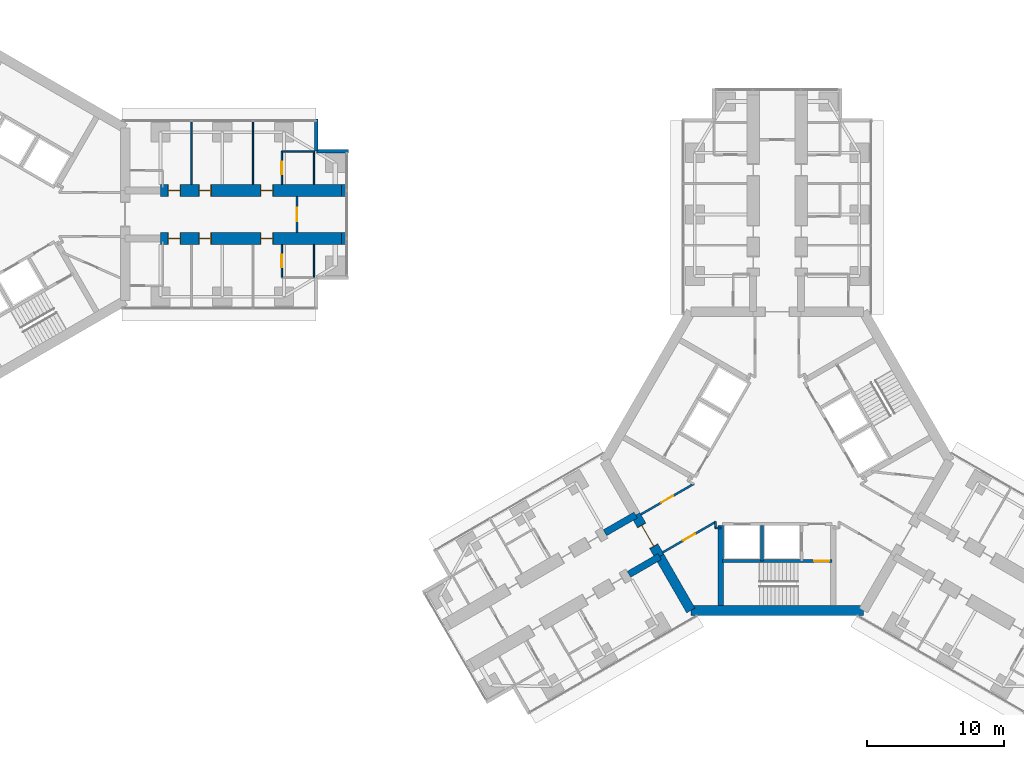
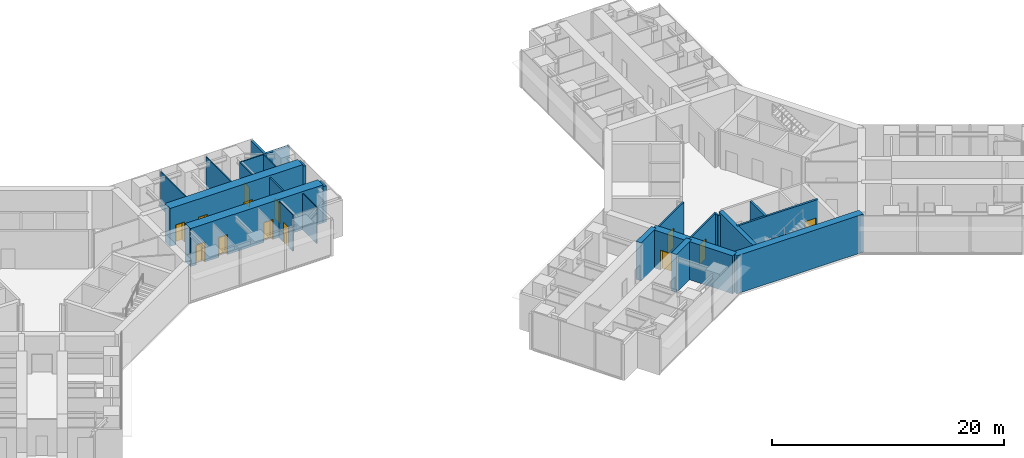
# One storey, part 20 of 25: 26 walls, 13 doors, 13 openings.
"""IFC4 building model written with IfcOpenShell, lengths in metres."""

from ifc_helpers import new_model, si_unit, direction, frame, frame_2d, origin, place, context, subcontext, project, spatial, rectangle, extrude, material, layer, layer_set, type_object, element, fill, save


model = new_model("IFC4")

# Units and contexts
model_context = context("Model", 3, precision=1e-05, world=origin(), true_north=direction((0.0, 1.0)))
body_context = subcontext(model_context, "Body", "Model", "MODEL_VIEW")
ifc_project = project(units=[si_unit("LENGTHUNIT", "METRE"), si_unit("AREAUNIT", "SQUARE_METRE"), si_unit("VOLUMEUNIT", "CUBIC_METRE"), si_unit("PLANEANGLEUNIT", "RADIAN"), si_unit("MASSUNIT", "GRAM", prefix="KILO")], contexts=[model_context])

# Site, building, storey
site_placement = place(None, origin())
site = spatial("IfcSite", under=ifc_project, at=site_placement, CompositionType="ELEMENT")
building_placement = place(site_placement, origin())
building = spatial("IfcBuilding", under=site, at=building_placement, Name="Upepo Twin Towers", CompositionType="ELEMENT")
storey_placement = place(building_placement, frame((0.0, 0.0, 72.5)))
storey = spatial("IfcBuildingStorey", under=building, at=storey_placement, Name="L17", CompositionType="ELEMENT", Elevation=72.5)

# Walls
ifc_material_1 = material(Name="Dense concrete blockwork", Category="masonry")
ifc_layer_1 = layer(ifc_material_1, 0.89990234375)
ifc_layer_set_1 = layer_set([ifc_layer_1], Name="Buttress closer 900, blockwork with fire-stopping to the curtain wall")
wall_type_1 = type_object("IfcWallType", Name="Buttress closer 900, blockwork with fire-stopping to the curtain wall", PredefinedType="PARTITIONING", material=ifc_layer_set_1)
for number, where, z_axis, x_axis, name in (
    (1, (26.699951171875, 1.75, 0.0), (0.0, 0.0, 1.0), (1.0, 0.0, 0.0), "T1 L17 wing A buttress closer L"),
    (2, (26.699951171875, -1.75, 0.0), (0.0, 0.0, 1.0), (1.0, 0.0, 0.0), "T1 L17 wing A buttress closer R"),
):
    element("IfcWall", number, at=place(storey_placement, frame(where, z_axis=z_axis, x_axis=x_axis)), inside=storey, type_object=wall_type_1, Name=name, PredefinedType="PARTITIONING", context=body_context, shape_type="SweptSolid", body=[
        extrude(rectangle(XDim=0.31005859375, YDim=0.89990234375, at=frame_2d((0.155029296875, 0.0))), origin(), (0.0, 0.0, 1.0), 3.800048828125),
    ])
ifc_material_2 = material(Name="Concrete C60/75", Category="concrete")
ifc_layer_2 = layer(ifc_material_2, 0.5)
ifc_layer_set_2 = layer_set([ifc_layer_2], Name="Concrete C60/75")
wall_type_2 = type_object("IfcWallType", Name="Buttress wall 500 RC", PredefinedType="SHEAR", material=ifc_layer_set_2)
for number, where, z_axis, x_axis, name in (
    (3, (49.92822265625, -24.9697265625, 0.0), (0.0, 0.0, 1.0), (-0.866031863473, -0.499988811324, 0.0), "T2 wing B buttress wall L"),
    (4, (48.17822265625, -21.938720703125, 0.0), (0.0, 0.0, 1.0), (-0.866072649678, -0.499918158782, 0.0), "T2 wing B buttress wall R"),
):
    element("IfcWall", number, at=place(storey_placement, frame(where, z_axis=z_axis, x_axis=x_axis)), inside=storey, type_object=wall_type_2, Name=name, PredefinedType="SHEAR", context=body_context, shape_type="SweptSolid", body=[
        extrude(rectangle(XDim=2.591796875, YDim=0.5, at=frame_2d((1.2958984375, 0.0))), origin(), (0.0, 0.0, 1.0), 4.0),
    ])

# Wall, openings, doors
ifc_material_3 = material(Name="Concrete C60/75", Category="concrete")
ifc_layer_3 = layer(ifc_material_3, 0.89990234375)
ifc_layer_set_3 = layer_set([ifc_layer_3], Name="Concrete C60/75")
wall_type_3 = type_object("IfcWallType", Name="Buttress wall 900 RC", PredefinedType="SHEAR", material=ifc_layer_set_3)
wall_1_placement = place(storey_placement, frame((13.5, 1.75, 0.0), z_axis=(0.0, 0.0, 1.0), x_axis=(1.0, 0.0, 0.0)))
wall_1 = element("IfcWall", 5, at=wall_1_placement, inside=storey, type_object=wall_type_3, Name="T1 wing A buttress wall L part 2", PredefinedType="SHEAR", context=body_context, shape_type="SweptSolid", body=[
    extrude(rectangle(XDim=13.199951171875, YDim=0.89990234375, at=frame_2d((6.60009765625, 0.0))), origin(), (0.0, 0.0, 1.0), 4.0),
])
opening_1_placement = place(wall_1_placement, frame((0.550048828125, 0.0, 0.0)))
opening_1 = element("IfcOpeningElement", 6, at=opening_1_placement, cuts=wall_1, Name="Opening D11", PredefinedType="OPENING", context=body_context, shape_type="SweptSolid", body=[
    extrude(rectangle(XDim=0.89990234375, YDim=2.10009765625, at=frame_2d((0.449951171875, 1.050048828125))), frame((0.0, 0.4599609375, 0.0), z_axis=(0.0, -1.0, 0.0), x_axis=(1.0, 0.0, 0.0)), (0.0, 0.0, 1.0), 0.919921875),
])
opening_2_placement = place(wall_1_placement, frame((2.800048828125, 0.0, 0.0)))
opening_2 = element("IfcOpeningElement", 7, at=opening_2_placement, cuts=wall_1, Name="Opening D14", PredefinedType="OPENING", context=body_context, shape_type="SweptSolid", body=[
    extrude(rectangle(XDim=0.89990234375, YDim=2.10009765625, at=frame_2d((0.449951171875, 1.050048828125))), frame((0.0, 0.4599609375, 0.0), z_axis=(0.0, -1.0, 0.0), x_axis=(1.0, 0.0, 0.0)), (0.0, 0.0, 1.0), 0.919921875),
])
opening_3_placement = place(wall_1_placement, frame((7.300048828125, 0.0, 0.0)))
opening_3 = element("IfcOpeningElement", 8, at=opening_3_placement, cuts=wall_1, Name="Opening D14", PredefinedType="OPENING", context=body_context, shape_type="SweptSolid", body=[
    extrude(rectangle(XDim=0.89990234375, YDim=2.10009765625, at=frame_2d((0.449951171875, 1.050048828125))), frame((0.0, 0.4599609375, 0.0), z_axis=(0.0, -1.0, 0.0), x_axis=(1.0, 0.0, 0.0)), (0.0, 0.0, 1.0), 0.919921875),
])
ifc_material_4 = material(Name="Timber doorset", Category="wood")
door_type_1 = type_object("IfcDoorType", Name="Office door 900 FD30", OperationType="SINGLE_SWING_LEFT", PredefinedType="DOOR", material=ifc_material_4)
door_1_placement = place(opening_2_placement, origin())
door_1 = element("IfcDoor", 9, at=door_1_placement, inside=storey, type_object=door_type_1, Name="T1 L17 staff office door", OperationType="SINGLE_SWING_LEFT", OverallHeight=2.10009765625, OverallWidth=0.89990234375, PredefinedType="DOOR", context=body_context, shape_type="SweptSolid", body=[
    extrude(rectangle(XDim=0.81990234375, YDim=2.06009765625, at=frame_2d((0.449951171875, 1.030029296875))), frame((0.0, 0.02490234375, 0.0), z_axis=(0.0, -1.0, 0.0), x_axis=(1.0, 0.0, 0.0)), (0.0, 0.0, 1.0), 0.050048828125),
    extrude(rectangle(XDim=0.04, YDim=2.10009765625, at=frame_2d((0.02001953125, 1.050048828125))), frame((0.0, 0.44970703125, 0.0), z_axis=(0.0, -1.0, 0.0), x_axis=(1.0, 0.0, 0.0)), (0.0, 0.0, 1.0), 0.8994140625),
    extrude(rectangle(XDim=0.04, YDim=2.10009765625, at=frame_2d((0.8798828125, 1.050048828125))), frame((0.0, 0.44970703125, 0.0), z_axis=(0.0, -1.0, 0.0), x_axis=(1.0, 0.0, 0.0)), (0.0, 0.0, 1.0), 0.8994140625),
    extrude(rectangle(XDim=0.81990234375, YDim=0.04, at=frame_2d((0.449951171875, 2.080078125))), frame((0.0, 0.44970703125, 0.0), z_axis=(0.0, -1.0, 0.0), x_axis=(1.0, 0.0, 0.0)), (0.0, 0.0, 1.0), 0.8994140625),
])
fill(opening_2, door_1)
door_2_placement = place(opening_3_placement, origin())
door_2 = element("IfcDoor", 10, at=door_2_placement, inside=storey, type_object=door_type_1, Name="T1 L17 postgraduate office door", OperationType="SINGLE_SWING_RIGHT", OverallHeight=2.10009765625, OverallWidth=0.89990234375, PredefinedType="DOOR", context=body_context, shape_type="SweptSolid", body=[
    extrude(rectangle(XDim=0.81990234375, YDim=2.06009765625, at=frame_2d((0.449951171875, 1.030029296875))), frame((0.0, 0.02490234375, 0.0), z_axis=(0.0, -1.0, 0.0), x_axis=(1.0, 0.0, 0.0)), (0.0, 0.0, 1.0), 0.050048828125),
    extrude(rectangle(XDim=0.04, YDim=2.10009765625, at=frame_2d((0.02001953125, 1.050048828125))), frame((0.0, 0.44970703125, 0.0), z_axis=(0.0, -1.0, 0.0), x_axis=(1.0, 0.0, 0.0)), (0.0, 0.0, 1.0), 0.8994140625),
    extrude(rectangle(XDim=0.04, YDim=2.10009765625, at=frame_2d((0.8798828125, 1.050048828125))), frame((0.0, 0.44970703125, 0.0), z_axis=(0.0, -1.0, 0.0), x_axis=(1.0, 0.0, 0.0)), (0.0, 0.0, 1.0), 0.8994140625),
    extrude(rectangle(XDim=0.81990234375, YDim=0.04, at=frame_2d((0.449951171875, 2.080078125))), frame((0.0, 0.44970703125, 0.0), z_axis=(0.0, -1.0, 0.0), x_axis=(1.0, 0.0, 0.0)), (0.0, 0.0, 1.0), 0.8994140625),
])
fill(opening_3, door_2)
ifc_material_5 = material(Name="Timber doorset", Category="wood")
door_type_2 = type_object("IfcDoorType", Name="Toilet door 900", OperationType="SINGLE_SWING_LEFT", PredefinedType="DOOR", material=ifc_material_5)
door_3_placement = place(opening_1_placement, origin())
door_3 = element("IfcDoor", 11, at=door_3_placement, inside=storey, type_object=door_type_2, Name="T1 L17 toilets door", OperationType="SINGLE_SWING_LEFT", OverallHeight=2.10009765625, OverallWidth=0.89990234375, PredefinedType="DOOR", context=body_context, shape_type="SweptSolid", body=[
    extrude(rectangle(XDim=0.81990234375, YDim=2.06009765625, at=frame_2d((0.449951171875, 1.030029296875))), frame((0.0, 0.02490234375, 0.0), z_axis=(0.0, -1.0, 0.0), x_axis=(1.0, 0.0, 0.0)), (0.0, 0.0, 1.0), 0.050048828125),
    extrude(rectangle(XDim=0.04, YDim=2.10009765625, at=frame_2d((0.02001953125, 1.050048828125))), frame((0.0, 0.44970703125, 0.0), z_axis=(0.0, -1.0, 0.0), x_axis=(1.0, 0.0, 0.0)), (0.0, 0.0, 1.0), 0.8994140625),
    extrude(rectangle(XDim=0.04, YDim=2.10009765625, at=frame_2d((0.8798828125, 1.050048828125))), frame((0.0, 0.44970703125, 0.0), z_axis=(0.0, -1.0, 0.0), x_axis=(1.0, 0.0, 0.0)), (0.0, 0.0, 1.0), 0.8994140625),
    extrude(rectangle(XDim=0.81990234375, YDim=0.04, at=frame_2d((0.449951171875, 2.080078125))), frame((0.0, 0.44970703125, 0.0), z_axis=(0.0, -1.0, 0.0), x_axis=(1.0, 0.0, 0.0)), (0.0, 0.0, 1.0), 0.8994140625),
])
fill(opening_1, door_3)

wall_2_placement = place(storey_placement, frame((13.5, -1.75, 0.0), z_axis=(0.0, 0.0, 1.0), x_axis=(1.0, 0.0, 0.0)))
wall_2 = element("IfcWall", 12, at=wall_2_placement, inside=storey, type_object=wall_type_3, Name="T1 wing A buttress wall R part 2", PredefinedType="SHEAR", context=body_context, shape_type="SweptSolid", body=[
    extrude(rectangle(XDim=13.199951171875, YDim=0.89990234375, at=frame_2d((6.60009765625, 0.0))), origin(), (0.0, 0.0, 1.0), 4.0),
])
opening_4_placement = place(wall_2_placement, frame((0.550048828125, 0.0, 0.0)))
opening_4 = element("IfcOpeningElement", 13, at=opening_4_placement, cuts=wall_2, Name="Opening D11", PredefinedType="OPENING", context=body_context, shape_type="SweptSolid", body=[
    extrude(rectangle(XDim=0.89990234375, YDim=2.10009765625, at=frame_2d((0.449951171875, 1.050048828125))), frame((0.0, 0.4599609375, 0.0), z_axis=(0.0, -1.0, 0.0), x_axis=(1.0, 0.0, 0.0)), (0.0, 0.0, 1.0), 0.919921875),
])
opening_5_placement = place(wall_2_placement, frame((2.800048828125, 0.0, 0.0)))
opening_5 = element("IfcOpeningElement", 14, at=opening_5_placement, cuts=wall_2, Name="Opening D14", PredefinedType="OPENING", context=body_context, shape_type="SweptSolid", body=[
    extrude(rectangle(XDim=0.89990234375, YDim=2.10009765625, at=frame_2d((0.449951171875, 1.050048828125))), frame((0.0, 0.4599609375, 0.0), z_axis=(0.0, -1.0, 0.0), x_axis=(1.0, 0.0, 0.0)), (0.0, 0.0, 1.0), 0.919921875),
])
opening_6_placement = place(wall_2_placement, frame((7.300048828125, 0.0, 0.0)))
opening_6 = element("IfcOpeningElement", 15, at=opening_6_placement, cuts=wall_2, Name="Opening D14", PredefinedType="OPENING", context=body_context, shape_type="SweptSolid", body=[
    extrude(rectangle(XDim=0.89990234375, YDim=2.10009765625, at=frame_2d((0.449951171875, 1.050048828125))), frame((0.0, 0.4599609375, 0.0), z_axis=(0.0, -1.0, 0.0), x_axis=(1.0, 0.0, 0.0)), (0.0, 0.0, 1.0), 0.919921875),
])
door_4_placement = place(opening_5_placement, origin())
door_4 = element("IfcDoor", 16, at=door_4_placement, inside=storey, type_object=door_type_1, Name="T1 L17 meeting room door", OperationType="SINGLE_SWING_LEFT", OverallHeight=2.10009765625, OverallWidth=0.89990234375, PredefinedType="DOOR", context=body_context, shape_type="SweptSolid", body=[
    extrude(rectangle(XDim=0.81990234375, YDim=2.06009765625, at=frame_2d((0.449951171875, 1.030029296875))), frame((0.0, 0.02490234375, 0.0), z_axis=(0.0, -1.0, 0.0), x_axis=(1.0, 0.0, 0.0)), (0.0, 0.0, 1.0), 0.050048828125),
    extrude(rectangle(XDim=0.04, YDim=2.10009765625, at=frame_2d((0.02001953125, 1.050048828125))), frame((0.0, 0.44970703125, 0.0), z_axis=(0.0, -1.0, 0.0), x_axis=(1.0, 0.0, 0.0)), (0.0, 0.0, 1.0), 0.8994140625),
    extrude(rectangle(XDim=0.04, YDim=2.10009765625, at=frame_2d((0.8798828125, 1.050048828125))), frame((0.0, 0.44970703125, 0.0), z_axis=(0.0, -1.0, 0.0), x_axis=(1.0, 0.0, 0.0)), (0.0, 0.0, 1.0), 0.8994140625),
    extrude(rectangle(XDim=0.81990234375, YDim=0.04, at=frame_2d((0.449951171875, 2.080078125))), frame((0.0, 0.44970703125, 0.0), z_axis=(0.0, -1.0, 0.0), x_axis=(1.0, 0.0, 0.0)), (0.0, 0.0, 1.0), 0.8994140625),
])
fill(opening_5, door_4)
door_5_placement = place(opening_6_placement, origin())
door_5 = element("IfcDoor", 17, at=door_5_placement, inside=storey, type_object=door_type_1, Name="T1 L17 staff office door", OperationType="SINGLE_SWING_RIGHT", OverallHeight=2.10009765625, OverallWidth=0.89990234375, PredefinedType="DOOR", context=body_context, shape_type="SweptSolid", body=[
    extrude(rectangle(XDim=0.81990234375, YDim=2.06009765625, at=frame_2d((0.449951171875, 1.030029296875))), frame((0.0, 0.02490234375, 0.0), z_axis=(0.0, -1.0, 0.0), x_axis=(1.0, 0.0, 0.0)), (0.0, 0.0, 1.0), 0.050048828125),
    extrude(rectangle(XDim=0.04, YDim=2.10009765625, at=frame_2d((0.02001953125, 1.050048828125))), frame((0.0, 0.44970703125, 0.0), z_axis=(0.0, -1.0, 0.0), x_axis=(1.0, 0.0, 0.0)), (0.0, 0.0, 1.0), 0.8994140625),
    extrude(rectangle(XDim=0.04, YDim=2.10009765625, at=frame_2d((0.8798828125, 1.050048828125))), frame((0.0, 0.44970703125, 0.0), z_axis=(0.0, -1.0, 0.0), x_axis=(1.0, 0.0, 0.0)), (0.0, 0.0, 1.0), 0.8994140625),
    extrude(rectangle(XDim=0.81990234375, YDim=0.04, at=frame_2d((0.449951171875, 2.080078125))), frame((0.0, 0.44970703125, 0.0), z_axis=(0.0, -1.0, 0.0), x_axis=(1.0, 0.0, 0.0)), (0.0, 0.0, 1.0), 0.8994140625),
])
fill(opening_6, door_5)
door_6_placement = place(opening_4_placement, origin())
door_6 = element("IfcDoor", 18, at=door_6_placement, inside=storey, type_object=door_type_2, Name="T1 L17 accessible wc door", OperationType="SINGLE_SWING_LEFT", OverallHeight=2.10009765625, OverallWidth=0.89990234375, PredefinedType="DOOR", context=body_context, shape_type="SweptSolid", body=[
    extrude(rectangle(XDim=0.81990234375, YDim=2.06009765625, at=frame_2d((0.449951171875, 1.030029296875))), frame((0.0, 0.02490234375, 0.0), z_axis=(0.0, -1.0, 0.0), x_axis=(1.0, 0.0, 0.0)), (0.0, 0.0, 1.0), 0.050048828125),
    extrude(rectangle(XDim=0.04, YDim=2.10009765625, at=frame_2d((0.02001953125, 1.050048828125))), frame((0.0, 0.44970703125, 0.0), z_axis=(0.0, -1.0, 0.0), x_axis=(1.0, 0.0, 0.0)), (0.0, 0.0, 1.0), 0.8994140625),
    extrude(rectangle(XDim=0.04, YDim=2.10009765625, at=frame_2d((0.8798828125, 1.050048828125))), frame((0.0, 0.44970703125, 0.0), z_axis=(0.0, -1.0, 0.0), x_axis=(1.0, 0.0, 0.0)), (0.0, 0.0, 1.0), 0.8994140625),
    extrude(rectangle(XDim=0.81990234375, YDim=0.04, at=frame_2d((0.449951171875, 2.080078125))), frame((0.0, 0.44970703125, 0.0), z_axis=(0.0, -1.0, 0.0), x_axis=(1.0, 0.0, 0.0)), (0.0, 0.0, 1.0), 0.8994140625),
])
fill(opening_4, door_6)

# Wall, opening, door
ifc_material_6 = material(Name="Concrete C60/75", Category="concrete")
ifc_layer_4 = layer(ifc_material_6, 0.699951171875)
ifc_layer_set_4 = layer_set([ifc_layer_4], Name="Concrete C60/75")
wall_type_4 = type_object("IfcWallType", Name="Core wall 700 RC", PredefinedType="SHEAR", material=ifc_layer_set_4)
wall_3_placement = place(storey_placement, frame((48.17822265625, -21.938720703125, 0.0), z_axis=(0.0, 0.0, 1.0), x_axis=(0.500010275428, -0.866019471182, 0.0)))
wall_3 = element("IfcWall", 19, at=wall_3_placement, inside=storey, type_object=wall_type_4, Name="T2 core wall 120", PredefinedType="SHEAR", context=body_context, shape_type="SweptSolid", body=[
    extrude(rectangle(XDim=3.5, YDim=0.699951171875, at=frame_2d((1.75, 0.0))), origin(), (0.0, 0.0, 1.0), 4.0),
])
opening_7_placement = place(wall_3_placement, frame((0.85009765625, 0.0, 0.0)))
opening_7 = element("IfcOpeningElement", 20, at=opening_7_placement, cuts=wall_3, Name="Opening D2", PredefinedType="OPENING", context=body_context, shape_type="SweptSolid", body=[
    extrude(rectangle(XDim=1.800048828125, YDim=2.10009765625, at=frame_2d((0.89990234375, 1.050048828125))), frame((0.0, 0.35986328125, 0.0), z_axis=(0.0, -1.0, 0.0), x_axis=(1.0, 0.0, 0.0)), (0.0, 0.0, 1.0), 0.719970703125),
])
ifc_material_7 = material(Name="Timber doorset", Category="wood")
door_type_3 = type_object("IfcDoorType", Name="Corridor double door 1800 FD60", OperationType="DOUBLE_DOOR_DOUBLE_SWING", PredefinedType="DOOR", material=ifc_material_7)
door_7_placement = place(opening_7_placement, origin())
door_7 = element("IfcDoor", 21, at=door_7_placement, inside=storey, type_object=door_type_3, Name="T2 L17 wing B corridor door", OperationType="DOUBLE_DOOR_DOUBLE_SWING", OverallHeight=2.10009765625, OverallWidth=1.800048828125, PredefinedType="DOOR", context=body_context, shape_type="SweptSolid", body=[
    extrude(rectangle(XDim=1.720048828125, YDim=2.06009765625, at=frame_2d((0.89990234375, 1.030029296875))), frame((0.0, 0.02490234375, 0.0), z_axis=(0.0, -1.0, 0.0), x_axis=(1.0, 0.0, 0.0)), (0.0, 0.0, 1.0), 0.050048828125),
    extrude(rectangle(XDim=0.04, YDim=2.10009765625, at=frame_2d((0.02001953125, 1.050048828125))), frame((0.0, 0.349609375, 0.0), z_axis=(0.0, -1.0, 0.0), x_axis=(1.0, 0.0, 0.0)), (0.0, 0.0, 1.0), 0.699462890625),
    extrude(rectangle(XDim=0.04, YDim=2.10009765625, at=frame_2d((1.780029296875, 1.050048828125))), frame((0.0, 0.349609375, 0.0), z_axis=(0.0, -1.0, 0.0), x_axis=(1.0, 0.0, 0.0)), (0.0, 0.0, 1.0), 0.699462890625),
    extrude(rectangle(XDim=1.720048828125, YDim=0.04, at=frame_2d((0.89990234375, 2.080078125))), frame((0.0, 0.349609375, 0.0), z_axis=(0.0, -1.0, 0.0), x_axis=(1.0, 0.0, 0.0)), (0.0, 0.0, 1.0), 0.699462890625),
])
fill(opening_7, door_7)

# Walls
wall_4_placement = place(storey_placement, frame((49.92822265625, -24.9697265625, 0.0), z_axis=(0.0, 0.0, 1.0), x_axis=(0.499984222037, -0.866034513004, 0.0)))
element("IfcWall", 22, at=wall_4_placement, inside=storey, type_object=wall_type_4, Name="T2 core wall 120 L", PredefinedType="SHEAR", context=body_context, shape_type="SweptSolid", body=[
    extrude(rectangle(XDim=4.548095703125, YDim=0.699951171875, at=frame_2d((2.27392578125, 0.0))), origin(), (0.0, 0.0, 1.0), 4.0),
])
wall_5_placement = place(storey_placement, frame((52.2021484375, -28.908447265625, 0.0), z_axis=(0.0, 0.0, 1.0), x_axis=(1.0, 0.0, 0.0)))
element("IfcWall", 23, at=wall_5_placement, inside=storey, type_object=wall_type_4, Name="T2 core wall 180", PredefinedType="SHEAR", context=body_context, shape_type="SweptSolid", body=[
    extrude(rectangle(XDim=12.595703125, YDim=0.699951171875, at=frame_2d((6.2978515625, 0.0))), origin(), (0.0, 0.0, 1.0), 4.0),
])
ifc_material_8 = material(Name="Blockwork with anodised aluminium cladding", Category="masonry")
ifc_layer_5 = layer(ifc_material_8, 0.25)
ifc_layer_set_5 = layer_set([ifc_layer_5], Name="Notch cladding wall 250, pale metal")
wall_type_5 = type_object("IfcWallType", Name="Notch cladding wall 250, pale metal", PredefinedType="STANDARD", material=ifc_layer_set_5)
for number, where, z_axis, x_axis, name in (
    (24, (24.875, 6.949951171875, 0.0), (0.0, 0.0, 1.0), (0.0, -1.0, 0.0), "T1 L17 wing A notch wall L1"),
    (25, (24.875, 4.625, 0.0), (0.0, 0.0, 1.0), (1.0, 0.0, 0.0), "T1 L17 wing A notch wall L2"),
):
    element("IfcWall", number, at=place(storey_placement, frame(where, z_axis=z_axis, x_axis=x_axis)), inside=storey, type_object=wall_type_5, Name=name, PredefinedType="STANDARD", context=body_context, shape_type="SweptSolid", body=[
        extrude(rectangle(XDim=2.324951171875, YDim=0.25, at=frame_2d((1.16259765625, 0.0))), origin(), (0.0, 0.0, 1.0), 3.800048828125),
    ])
ifc_material_9 = material(Name="Gypsum board on steel studs", Category="steel")
ifc_layer_6 = layer(ifc_material_9, 0.10009765625)
ifc_layer_set_6 = layer_set([ifc_layer_6], Name="Office partition 100 stud")
wall_type_6 = type_object("IfcWallType", Name="Office partition 100 stud", PredefinedType="PARTITIONING", material=ifc_layer_set_6)
for number, where, z_axis, x_axis, name in (
    (26, (15.75, 2.199951171875, 0.0), (0.0, 0.0, 1.0), (0.0, 1.0, 0.0), "T1 partition AL at 15.75"),
    (27, (20.25, 2.199951171875, 0.0), (0.0, 0.0, 1.0), (0.0, 1.0, 0.0), "T1 partition AL at 20.25"),
):
    element("IfcWall", number, at=place(storey_placement, frame(where, z_axis=z_axis, x_axis=x_axis)), inside=storey, type_object=wall_type_6, Name=name, PredefinedType="PARTITIONING", context=body_context, shape_type="SweptSolid", body=[
        extrude(rectangle(XDim=4.550048828125, YDim=0.10009765625, at=frame_2d((2.27490234375, 0.0))), origin(), (0.0, 0.0, 1.0), 3.800048828125),
    ])
wall_6_placement = place(storey_placement, frame((22.35009765625, 4.60009765625, 0.0), z_axis=(0.0, 0.0, 1.0), x_axis=(1.0, 0.0, 0.0)))
element("IfcWall", 28, at=wall_6_placement, inside=storey, type_object=wall_type_6, Name="T1 inner room partition AL at 22.35", PredefinedType="PARTITIONING", context=body_context, shape_type="SweptSolid", body=[
    extrude(rectangle(XDim=2.39990234375, YDim=0.10009765625, at=frame_2d((1.199951171875, 0.0))), origin(), (0.0, 0.0, 1.0), 3.800048828125),
])

# Wall, opening, door
wall_7_placement = place(storey_placement, frame((22.35009765625, 2.199951171875, 0.0), z_axis=(0.0, 0.0, 1.0), x_axis=(0.0, 1.0, 0.0)))
wall_7 = element("IfcWall", 29, at=wall_7_placement, inside=storey, type_object=wall_type_6, Name="T1 inner room partition AL end at 22.35", PredefinedType="PARTITIONING", context=body_context, shape_type="SweptSolid", body=[
    extrude(rectangle(XDim=2.400146484375, YDim=0.10009765625, at=frame_2d((1.2001953125, 0.0))), origin(), (0.0, 0.0, 1.0), 3.800048828125),
])
opening_8_placement = place(wall_7_placement, frame((0.75, 0.0, 0.0)))
opening_8 = element("IfcOpeningElement", 30, at=opening_8_placement, cuts=wall_7, Name="Opening D14", PredefinedType="OPENING", context=body_context, shape_type="SweptSolid", body=[
    extrude(rectangle(XDim=0.89990234375, YDim=2.10009765625, at=frame_2d((0.449951171875, 1.050048828125))), frame((0.0, 0.06005859375, 0.0), z_axis=(0.0, -1.0, 0.0), x_axis=(1.0, 0.0, 0.0)), (0.0, 0.0, 1.0), 0.1201171875),
])
door_8_placement = place(opening_8_placement, origin())
door_8 = element("IfcDoor", 31, at=door_8_placement, inside=storey, type_object=door_type_1, Name="T1 L17 inner room door", OperationType="SINGLE_SWING_LEFT", OverallHeight=2.10009765625, OverallWidth=0.89990234375, PredefinedType="DOOR", context=body_context, shape_type="SweptSolid", body=[
    extrude(rectangle(XDim=0.89990234375, YDim=2.10009765625, at=frame_2d((0.449951171875, 1.050048828125))), frame((0.0, 0.02490234375, 0.0), z_axis=(0.0, -1.0, 0.0), x_axis=(1.0, 0.0, 0.0)), (0.0, 0.0, 1.0), 0.050048828125),
])
fill(opening_8, door_8)

# Wall
wall_8_placement = place(storey_placement, frame((24.699951171875, 2.199951171875, 0.0), z_axis=(0.0, 0.0, 1.0), x_axis=(0.0, 1.0, 0.0)))
element("IfcWall", 32, at=wall_8_placement, inside=storey, type_object=wall_type_6, Name="T1 inner room partition AL end at 24.75", PredefinedType="PARTITIONING", context=body_context, shape_type="SweptSolid", body=[
    extrude(rectangle(XDim=2.400146484375, YDim=0.10009765625, at=frame_2d((1.2001953125, 0.0))), origin(), (0.0, 0.0, 1.0), 3.800048828125),
])

# Wall, opening, door
wall_9_placement = place(storey_placement, frame((22.35009765625, -2.199951171875, 0.0), z_axis=(0.0, 0.0, 1.0), x_axis=(0.0, -1.0, 0.0)))
wall_9 = element("IfcWall", 33, at=wall_9_placement, inside=storey, type_object=wall_type_6, Name="T1 inner room partition AR end at 22.35", PredefinedType="PARTITIONING", context=body_context, shape_type="SweptSolid", body=[
    extrude(rectangle(XDim=2.400146484375, YDim=0.10009765625, at=frame_2d((1.2001953125, 0.0))), origin(), (0.0, 0.0, 1.0), 3.800048828125),
])
opening_9_placement = place(wall_9_placement, frame((0.75, 0.0, 0.0)))
opening_9 = element("IfcOpeningElement", 34, at=opening_9_placement, cuts=wall_9, Name="Opening D14", PredefinedType="OPENING", context=body_context, shape_type="SweptSolid", body=[
    extrude(rectangle(XDim=0.89990234375, YDim=2.10009765625, at=frame_2d((0.449951171875, 1.050048828125))), frame((0.0, 0.06005859375, 0.0), z_axis=(0.0, -1.0, 0.0), x_axis=(1.0, 0.0, 0.0)), (0.0, 0.0, 1.0), 0.1201171875),
])
door_9_placement = place(opening_9_placement, origin())
door_9 = element("IfcDoor", 35, at=door_9_placement, inside=storey, type_object=door_type_1, Name="T1 L17 inner room door", OperationType="SINGLE_SWING_LEFT", OverallHeight=2.10009765625, OverallWidth=0.89990234375, PredefinedType="DOOR", context=body_context, shape_type="SweptSolid", body=[
    extrude(rectangle(XDim=0.89990234375, YDim=2.10009765625, at=frame_2d((0.449951171875, 1.050048828125))), frame((0.0, 0.02490234375, 0.0), z_axis=(0.0, -1.0, 0.0), x_axis=(1.0, 0.0, 0.0)), (0.0, 0.0, 1.0), 0.050048828125),
])
fill(opening_9, door_9)

# Walls
wall_10_placement = place(storey_placement, frame((24.699951171875, -2.199951171875, 0.0), z_axis=(0.0, 0.0, 1.0), x_axis=(0.0, -1.0, 0.0)))
element("IfcWall", 36, at=wall_10_placement, inside=storey, type_object=wall_type_6, Name="T1 inner room partition AR end at 24.75", PredefinedType="PARTITIONING", context=body_context, shape_type="SweptSolid", body=[
    extrude(rectangle(XDim=2.400146484375, YDim=0.10009765625, at=frame_2d((1.2001953125, 0.0))), origin(), (0.0, 0.0, 1.0), 3.800048828125),
])
ifc_material_10 = material(Name="Concrete C40/50", Category="concrete")
ifc_layer_7 = layer(ifc_material_10, 0.199951171875)
ifc_layer_set_7 = layer_set([ifc_layer_7], Name="Concrete C40/50")
wall_type_7 = type_object("IfcWallType", Name="Shaft wall 200 RC", PredefinedType="SHEAR", material=ifc_layer_set_7)
wall_11_placement = place(storey_placement, frame((57.39990234375, -22.699951171875, 0.0), z_axis=(0.0, 0.0, 1.0), x_axis=(0.0, -1.0, 0.0)))
element("IfcWall", 37, at=wall_11_placement, inside=storey, type_object=wall_type_7, Name="T2 core W180 shaft divider", PredefinedType="SHEAR", context=body_context, shape_type="SweptSolid", body=[
    extrude(rectangle(XDim=2.60009765625, YDim=0.199951171875, at=frame_2d((1.300048828125, 0.0))), origin(), (0.0, 0.0, 1.0), 4.0),
])

# Wall, opening, door
wall_12_placement = place(storey_placement, frame((54.5, -25.300048828125, 0.0), z_axis=(0.0, 0.0, 1.0), x_axis=(1.0, 0.0, 0.0)))
wall_12 = element("IfcWall", 38, at=wall_12_placement, inside=storey, type_object=wall_type_7, Name="T2 core W180 stair wall", PredefinedType="SHEAR", context=body_context, shape_type="SweptSolid", body=[
    extrude(rectangle(XDim=8.0, YDim=0.199951171875, at=frame_2d((4.0, 0.0))), origin(), (0.0, 0.0, 1.0), 4.0),
])
opening_10_placement = place(wall_12_placement, frame((6.699951171875, 0.0, 0.0)))
opening_10 = element("IfcOpeningElement", 39, at=opening_10_placement, cuts=wall_12, Name="Opening D3", PredefinedType="OPENING", context=body_context, shape_type="SweptSolid", body=[
    extrude(rectangle(XDim=1.10009765625, YDim=2.10009765625, at=frame_2d((0.550048828125, 1.050048828125))), frame((0.0, 0.10986328125, 0.0), z_axis=(0.0, -1.0, 0.0), x_axis=(1.0, 0.0, 0.0)), (0.0, 0.0, 1.0), 0.219970703125),
])
ifc_material_11 = material(Name="Timber doorset", Category="wood")
door_type_4 = type_object("IfcDoorType", Name="Stair door 1100 FD60", OperationType="SINGLE_SWING_LEFT", PredefinedType="DOOR", material=ifc_material_11)
door_10_placement = place(opening_10_placement, origin())
door_10 = element("IfcDoor", 40, at=door_10_placement, inside=storey, type_object=door_type_4, Name="T2 L17 stair door", OperationType="SINGLE_SWING_RIGHT", OverallHeight=2.10009765625, OverallWidth=1.10009765625, PredefinedType="DOOR", context=body_context, shape_type="SweptSolid", body=[
    extrude(rectangle(XDim=1.10009765625, YDim=2.10009765625, at=frame_2d((0.550048828125, 1.050048828125))), frame((0.0, 0.02490234375, 0.0), z_axis=(0.0, -1.0, 0.0), x_axis=(1.0, 0.0, 0.0)), (0.0, 0.0, 1.0), 0.050048828125),
])
fill(opening_10, door_10)

# Wall
ifc_material_12 = material(Name="Concrete C40/50", Category="concrete")
ifc_layer_8 = layer(ifc_material_12, 0.39990234375)
ifc_layer_set_8 = layer_set([ifc_layer_8], Name="Concrete C40/50")
wall_type_8 = type_object("IfcWallType", Name="Shaft wall 400 RC", PredefinedType="SHEAR", material=ifc_layer_set_8)
wall_13_placement = place(storey_placement, frame((54.39990234375, -22.699951171875, 0.0), z_axis=(0.0, 0.0, 1.0), x_axis=(0.0, -1.0, 0.0)))
element("IfcWall", 41, at=wall_13_placement, inside=storey, type_object=wall_type_8, Name="T2 core W180 side wall S", PredefinedType="SHEAR", context=body_context, shape_type="SweptSolid", body=[
    extrude(rectangle(XDim=5.8583984375, YDim=0.39990234375, at=frame_2d((2.92919921875, 0.0))), origin(), (0.0, 0.0, 1.0), 4.0),
])

# Wall, opening, door
ifc_material_13 = material(Name="Gypsum board on steel studs", Category="steel")
ifc_layer_9 = layer(ifc_material_13, 0.14990234375)
ifc_layer_set_9 = layer_set([ifc_layer_9], Name="Teaching partition 150 acoustic")
wall_type_9 = type_object("IfcWallType", Name="Teaching partition 150 acoustic", PredefinedType="PARTITIONING", material=ifc_layer_set_9)
wall_14_placement = place(storey_placement, frame((23.449951171875, -1.300048828125, 0.0), z_axis=(0.0, 0.0, 1.0), x_axis=(0.0, 1.0, 0.0)))
wall_14 = element("IfcWall", 42, at=wall_14_placement, inside=storey, type_object=wall_type_9, Name="T1 corridor end partition A at 23.45", PredefinedType="PARTITIONING", context=body_context, shape_type="SweptSolid", body=[
    extrude(rectangle(XDim=2.60009765625, YDim=0.14990234375, at=frame_2d((1.300048828125, 0.0))), origin(), (0.0, 0.0, 1.0), 3.800048828125),
])
opening_11_placement = place(wall_14_placement, frame((0.800048828125, 0.0, 0.0)))
opening_11 = element("IfcOpeningElement", 43, at=opening_11_placement, cuts=wall_14, Name="Opening D1", PredefinedType="OPENING", context=body_context, shape_type="SweptSolid", body=[
    extrude(rectangle(XDim=1.0, YDim=2.10009765625, at=frame_2d((0.5, 1.050048828125))), frame((0.0, 0.0849609375, 0.0), z_axis=(0.0, -1.0, 0.0), x_axis=(1.0, 0.0, 0.0)), (0.0, 0.0, 1.0), 0.169921875),
])
ifc_material_14 = material(Name="Timber doorset", Category="wood")
door_type_5 = type_object("IfcDoorType", Name="Room door 1000 FD30", OperationType="SINGLE_SWING_LEFT", PredefinedType="DOOR", material=ifc_material_14)
door_11_placement = place(opening_11_placement, origin())
door_11 = element("IfcDoor", 44, at=door_11_placement, inside=storey, type_object=door_type_5, Name="T1 L17 breakout study room door", OperationType="SINGLE_SWING_LEFT", OverallHeight=2.10009765625, OverallWidth=1.0, PredefinedType="DOOR", context=body_context, shape_type="SweptSolid", body=[
    extrude(rectangle(XDim=1.0, YDim=2.10009765625, at=frame_2d((0.5, 1.050048828125))), frame((0.0, 0.02490234375, 0.0), z_axis=(0.0, -1.0, 0.0), x_axis=(1.0, 0.0, 0.0)), (0.0, 0.0, 1.0), 0.050048828125),
])
fill(opening_11, door_11)

# Wall
wall_15_placement = place(storey_placement, frame((54.0, -22.919921875, 0.0), z_axis=(0.0, 0.0, 1.0), x_axis=(0.0, 1.0, 0.0)))
element("IfcWall", 45, at=wall_15_placement, inside=storey, type_object=wall_type_9, Name="T2 core room partition 1", PredefinedType="PARTITIONING", context=body_context, shape_type="SweptSolid", body=[
    extrude(rectangle(XDim=0.494384765625, YDim=0.14990234375, at=frame_2d((0.2470703125, 0.0))), origin(), (0.0, 0.0, 1.0), 3.800048828125),
])

# Wall, opening, door
wall_16_placement = place(storey_placement, frame((54.017333984375, -22.435546875, 0.0), z_axis=(0.0, 0.0, 1.0), x_axis=(-0.866015446554, -0.500017246033, 0.0)))
wall_16 = element("IfcWall", 46, at=wall_16_placement, inside=storey, type_object=wall_type_9, Name="T2 core room partition 2", PredefinedType="PARTITIONING", context=body_context, shape_type="SweptSolid", body=[
    extrude(rectangle(XDim=4.468505859375, YDim=0.14990234375, at=frame_2d((2.234375, 0.0))), origin(), (0.0, 0.0, 1.0), 3.800048828125),
])
opening_12_placement = place(wall_16_placement, frame((1.744384765625, 0.0, 0.0)))
opening_12 = element("IfcOpeningElement", 47, at=opening_12_placement, cuts=wall_16, Name="Opening D1", PredefinedType="OPENING", context=body_context, shape_type="SweptSolid", body=[
    extrude(rectangle(XDim=1.0, YDim=2.10009765625, at=frame_2d((0.5, 1.050048828125))), frame((0.0, 0.0849609375, 0.0), z_axis=(0.0, -1.0, 0.0), x_axis=(1.0, 0.0, 0.0)), (0.0, 0.0, 1.0), 0.169921875),
])
door_12_placement = place(opening_12_placement, origin())
door_12 = element("IfcDoor", 48, at=door_12_placement, inside=storey, type_object=door_type_5, Name="T2 L17 core room door K2", OperationType="SINGLE_SWING_RIGHT", OverallHeight=2.10009765625, OverallWidth=1.0, PredefinedType="DOOR", context=body_context, shape_type="SweptSolid", body=[
    extrude(rectangle(XDim=1.0, YDim=2.10009765625, at=frame_2d((0.5, 1.050048828125))), frame((0.0, 0.02490234375, 0.0), z_axis=(0.0, -1.0, 0.0), x_axis=(1.0, 0.0, 0.0)), (0.0, 0.0, 1.0), 0.050048828125),
])
fill(opening_12, door_12)

wall_17_placement = place(storey_placement, frame((48.547607421875, -21.8984375, 0.0), z_axis=(0.0, 0.0, 1.0), x_axis=(0.866025445582, 0.499999927604, 0.0)))
wall_17 = element("IfcWall", 49, at=wall_17_placement, inside=storey, type_object=wall_type_9, Name="T2 core room partition 3", PredefinedType="PARTITIONING", context=body_context, shape_type="SweptSolid", body=[
    extrude(rectangle(XDim=4.46826171875, YDim=0.14990234375, at=frame_2d((2.234130859375, 0.0))), origin(), (0.0, 0.0, 1.0), 3.800048828125),
])
opening_13_placement = place(wall_17_placement, frame((1.72412109375, 0.0, 0.0)))
opening_13 = element("IfcOpeningElement", 50, at=opening_13_placement, cuts=wall_17, Name="Opening D1", PredefinedType="OPENING", context=body_context, shape_type="SweptSolid", body=[
    extrude(rectangle(XDim=1.0, YDim=2.10009765625, at=frame_2d((0.5, 1.050048828125))), frame((0.0, 0.0849609375, 0.0), z_axis=(0.0, -1.0, 0.0), x_axis=(1.0, 0.0, 0.0)), (0.0, 0.0, 1.0), 0.169921875),
])
door_13_placement = place(opening_13_placement, origin())
door_13 = element("IfcDoor", 51, at=door_13_placement, inside=storey, type_object=door_type_5, Name="T2 L17 core room door K1", OperationType="SINGLE_SWING_LEFT", OverallHeight=2.10009765625, OverallWidth=1.0, PredefinedType="DOOR", context=body_context, shape_type="SweptSolid", body=[
    extrude(rectangle(XDim=1.0, YDim=2.10009765625, at=frame_2d((0.5, 1.050048828125))), frame((0.0, 0.02490234375, 0.0), z_axis=(0.0, -1.0, 0.0), x_axis=(1.0, 0.0, 0.0)), (0.0, 0.0, 1.0), 0.050048828125),
])
fill(opening_13, door_13)

# Wall
wall_18_placement = place(storey_placement, frame((54.409912109375, -22.89990234375, 0.0), z_axis=(0.0, 0.0, 1.0), x_axis=(-1.0, 0.0, 0.0)))
element("IfcWall", 52, at=wall_18_placement, inside=storey, type_object=wall_type_9, Name="T2 core room partition 18", PredefinedType="PARTITIONING", context=body_context, shape_type="SweptSolid", body=[
    extrude(rectangle(XDim=0.429931640625, YDim=0.14990234375, at=frame_2d((0.21484375, 0.0))), origin(), (0.0, 0.0, 1.0), 3.800048828125),
])

save(model, "model.ifc")
